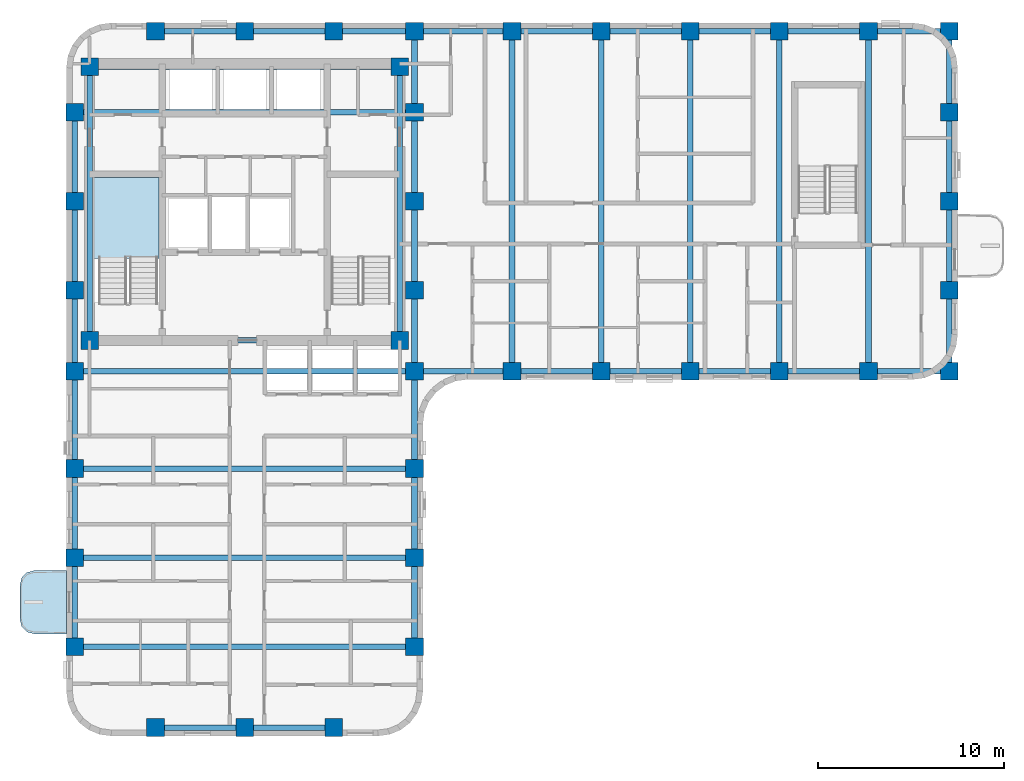
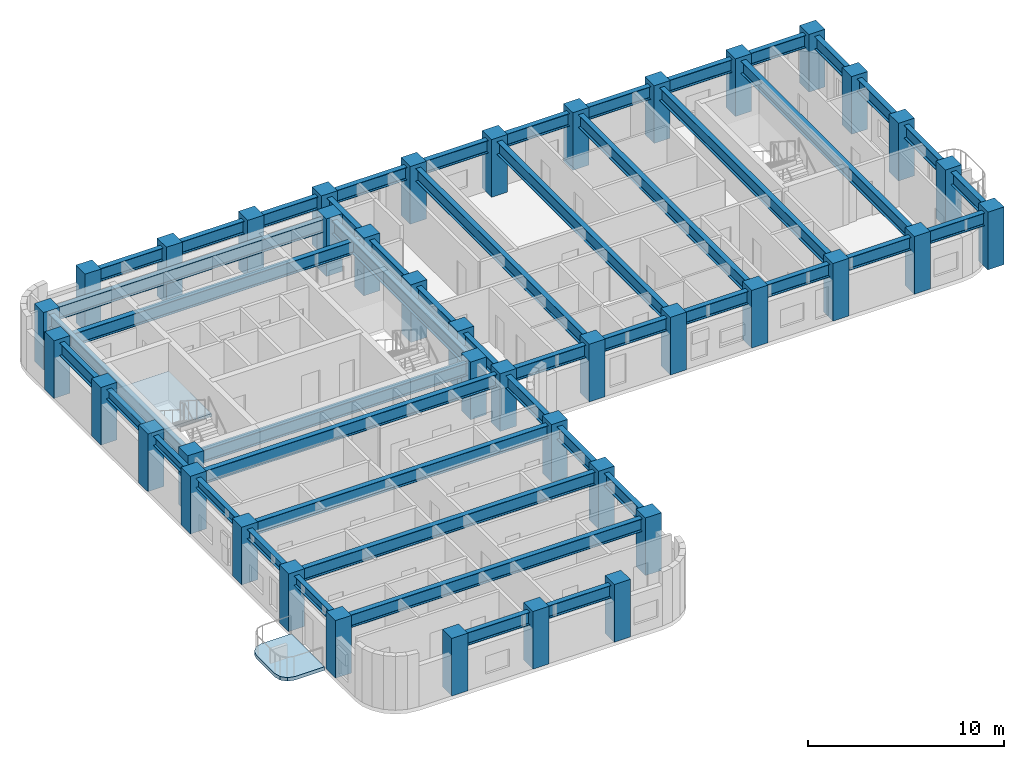
# One storey, part 1 of 10: 48 beams, 40 columns, 2 slabs, 1 element without a shape of its own.
"""IFC4 building model written with IfcOpenShell, lengths in metres."""

from ifc_helpers import new_model, si_unit, direction, frame, origin, origin_2d, place, context, subcontext, project, spatial, polyline, rectangle, i_section, outline, extrude, material, layer, layer_set, material_profile, profile_set, type_object, element, aggregate, save


model = new_model("IFC4")

# Units and contexts
model_context = context("Model", 3, precision=1e-05, world=origin(), true_north=direction((0.0, 1.0)))
body_context = subcontext(model_context, "Body", "Model", "MODEL_VIEW")
ifc_project = project(units=[si_unit("LENGTHUNIT", "METRE"), si_unit("AREAUNIT", "SQUARE_METRE"), si_unit("VOLUMEUNIT", "CUBIC_METRE"), si_unit("PLANEANGLEUNIT", "RADIAN"), si_unit("MASSUNIT", "GRAM", prefix="KILO")], contexts=[model_context])

# Site, building, storey
site_placement = place(None, origin())
site = spatial("IfcSite", under=ifc_project, at=site_placement, CompositionType="ELEMENT")
building_placement = place(site_placement, origin())
building = spatial("IfcBuilding", under=site, at=building_placement, Name="Orvandelia Arch Residences", CompositionType="ELEMENT")
storey_placement = place(building_placement, frame((0.0, 0.0, 118.0)))
storey = spatial("IfcBuildingStorey", under=building, at=storey_placement, Name="L30", CompositionType="ELEMENT", Elevation=118.0)

# Columns
ifc_material_1 = material(Name="Concrete C60/75", Category="concrete")
ifc_material_profile_1 = material_profile(ifc_material_1, rectangle(XDim=0.949951171875, YDim=0.949951171875, at=origin_2d()), Name="Concrete C60/75", Category="concrete")
ifc_profile_set_1 = profile_set([ifc_material_profile_1], Name="Concrete C60/75")
column_type = type_object("IfcColumnType", Name="COL-TWR-950", PredefinedType="COLUMN", material=ifc_profile_set_1)
for number, where, z_axis, x_axis, name in (
    (1, (5.25, 14.39990234375, 0.0), (0.0, 0.0, 1.0), (1.0, 0.0, 0.0), "Structural Column L30-W-W-144"),
    (2, (5.25, 19.199951171875, 0.0), (0.0, 0.0, 1.0), (1.0, 0.0, 0.0), "Structural Column L30-W-W-192"),
    (3, (5.25, 24.0, 0.0), (0.0, 0.0, 1.0), (1.0, 0.0, 0.0), "Structural Column L30-W-W-240"),
    (4, (5.25, 29.25, 0.0), (0.0, 0.0, 1.0), (1.0, 0.0, 0.0), "Structural Column L30-W-W-292"),
    (5, (5.25, 33.60009765625, 0.0), (0.0, 0.0, 1.0), (1.0, 0.0, 0.0), "Structural Column L30-W-W-336"),
    (6, (5.25, 38.39990234375, 0.0), (0.0, 0.0, 1.0), (1.0, 0.0, 0.0), "Structural Column L30-W-W-384"),
    (7, (5.25, 43.199951171875, 0.0), (0.0, 0.0, 1.0), (1.0, 0.0, 0.0), "Structural Column L30-W-W-432"),
    (8, (6.050048828125, 30.89990234375, 0.0), (0.0, 0.0, 1.0), (1.0, 0.0, 0.0), "Structural Column L30-CR-SW"),
    (9, (6.050048828125, 45.64990234375, 0.0), (0.0, 0.0, 1.0), (1.0, 0.0, 0.0), "Structural Column L30-CR-NW"),
    (10, (9.60009765625, 10.050048828125, 0.0), (0.0, 0.0, 1.0), (1.0, 0.0, 0.0), "Structural Column L30-W-S-96"),
    (11, (9.60009765625, 47.550048828125, 0.0), (0.0, 0.0, 1.0), (1.0, 0.0, 0.0), "Structural Column L30-W-N-96"),
    (12, (14.39990234375, 10.050048828125, 0.0), (0.0, 0.0, 1.0), (1.0, 0.0, 0.0), "Structural Column L30-W-S-144"),
    (13, (14.39990234375, 47.550048828125, 0.0), (0.0, 0.0, 1.0), (1.0, 0.0, 0.0), "Structural Column L30-W-N-144"),
    (14, (19.199951171875, 10.050048828125, 0.0), (0.0, 0.0, 1.0), (1.0, 0.0, 0.0), "Structural Column L30-W-S-192"),
    (15, (19.199951171875, 47.550048828125, 0.0), (0.0, 0.0, 1.0), (1.0, 0.0, 0.0), "Structural Column L30-W-N-192"),
    (16, (22.75, 30.89990234375, 0.0), (0.0, 0.0, 1.0), (1.0, 0.0, 0.0), "Structural Column L30-CR-SE"),
    (17, (22.75, 45.64990234375, 0.0), (0.0, 0.0, 1.0), (1.0, 0.0, 0.0), "Structural Column L30-CR-NE"),
    (18, (23.550048828125, 14.39990234375, 0.0), (0.0, 0.0, 1.0), (1.0, 0.0, 0.0), "Structural Column L30-W-E-144"),
    (19, (23.550048828125, 19.199951171875, 0.0), (0.0, 0.0, 1.0), (1.0, 0.0, 0.0), "Structural Column L30-W-E-192"),
    (20, (23.550048828125, 24.0, 0.0), (0.0, 0.0, 1.0), (1.0, 0.0, 0.0), "Structural Column L30-W-E-240"),
    (21, (23.550048828125, 29.25, 0.0), (0.0, 0.0, 1.0), (1.0, 0.0, 0.0), "Structural Column L30-W-E-292"),
    (22, (23.550048828125, 33.60009765625, 0.0), (0.0, 0.0, 1.0), (1.0, 0.0, 0.0), "Structural Column L30-W-E-336"),
    (23, (23.550048828125, 38.39990234375, 0.0), (0.0, 0.0, 1.0), (1.0, 0.0, 0.0), "Structural Column L30-W-E-384"),
    (24, (23.550048828125, 43.199951171875, 0.0), (0.0, 0.0, 1.0), (1.0, 0.0, 0.0), "Structural Column L30-W-E-432"),
    (25, (23.550048828125, 47.550048828125, 0.0), (0.0, 0.0, 1.0), (1.0, 0.0, 0.0), "Structural Column L30-W-N-235"),
    (26, (28.800048828125, 29.25, 0.0), (0.0, 0.0, 1.0), (1.0, 0.0, 0.0), "Structural Column L30-E-S-288"),
    (27, (28.800048828125, 47.550048828125, 0.0), (0.0, 0.0, 1.0), (1.0, 0.0, 0.0), "Structural Column L30-E-N-288"),
    (28, (33.60009765625, 29.25, 0.0), (0.0, 0.0, 1.0), (1.0, 0.0, 0.0), "Structural Column L30-E-S-336"),
    (29, (33.60009765625, 47.550048828125, 0.0), (0.0, 0.0, 1.0), (1.0, 0.0, 0.0), "Structural Column L30-E-N-336"),
    (30, (38.39990234375, 29.25, 0.0), (0.0, 0.0, 1.0), (1.0, 0.0, 0.0), "Structural Column L30-E-S-384"),
    (31, (38.39990234375, 47.550048828125, 0.0), (0.0, 0.0, 1.0), (1.0, 0.0, 0.0), "Structural Column L30-E-N-384"),
    (32, (43.199951171875, 29.25, 0.0), (0.0, 0.0, 1.0), (1.0, 0.0, 0.0), "Structural Column L30-E-S-432"),
    (33, (43.199951171875, 47.550048828125, 0.0), (0.0, 0.0, 1.0), (1.0, 0.0, 0.0), "Structural Column L30-E-N-432"),
    (34, (48.0, 29.25, 0.0), (0.0, 0.0, 1.0), (1.0, 0.0, 0.0), "Structural Column L30-E-S-480"),
    (35, (48.0, 47.550048828125, 0.0), (0.0, 0.0, 1.0), (1.0, 0.0, 0.0), "Structural Column L30-E-N-480"),
    (36, (52.35009765625, 29.25, 0.0), (0.0, 0.0, 1.0), (1.0, 0.0, 0.0), "Structural Column L30-E-S-523"),
    (37, (52.35009765625, 33.60009765625, 0.0), (0.0, 0.0, 1.0), (1.0, 0.0, 0.0), "Structural Column L30-E-523-336"),
    (38, (52.35009765625, 38.39990234375, 0.0), (0.0, 0.0, 1.0), (1.0, 0.0, 0.0), "Structural Column L30-E-523-384"),
    (39, (52.35009765625, 43.199951171875, 0.0), (0.0, 0.0, 1.0), (1.0, 0.0, 0.0), "Structural Column L30-E-523-432"),
    (40, (52.35009765625, 47.550048828125, 0.0), (0.0, 0.0, 1.0), (1.0, 0.0, 0.0), "Structural Column L30-E-N-523"),
):
    element("IfcColumn", number, at=place(storey_placement, frame(where, z_axis=z_axis, x_axis=x_axis)), inside=storey, type_object=column_type, Name=name, PredefinedType="COLUMN", context=body_context, shape_type="SweptSolid", body=[
        extrude(rectangle(XDim=0.949951171875, YDim=0.949951171875, at=origin_2d()), origin(), (0.0, 0.0, 1.0), 3.60009765625),
    ])

# Beams
ifc_material_2 = material(Name="Structural Steel SM355 (355 MPa)", Category="steel")
ifc_material_profile_2 = material_profile(ifc_material_2, i_section(OverallWidth=0.300048828125, OverallDepth=0.800048828125, WebThickness=0.013916015625, FlangeThickness=0.02587890625, FilletRadius=0.02587890625, at=origin_2d()), Name="Structural Steel SM355 (355 MPa)", Category="steel")
ifc_profile_set_2 = profile_set([ifc_material_profile_2], Name="Structural Steel SM355 (355 MPa)")
beam_type_1 = type_object("IfcBeamType", Name="BM-GRD-H800", PredefinedType="BEAM", material=ifc_profile_set_2)
beam_1_placement = place(storey_placement, frame((5.25, 38.39990234375, 2.9599609375), z_axis=(0.0, 1.0, 0.0), x_axis=(-1.0, 0.0, 0.0)))
element("IfcBeam", 41, at=beam_1_placement, inside=storey, type_object=beam_type_1, Name="Structural Frame Beam L30-NS-006", PredefinedType="BEAM", context=body_context, shape_type="SweptSolid", body=[
    extrude(i_section(OverallWidth=0.300048828125, OverallDepth=0.800048828125, WebThickness=0.013916015625, FlangeThickness=0.02587890625, FilletRadius=0.02587890625, at=origin_2d()), origin(), (0.0, 0.0, 1.0), 4.800048828125),
])
for number, where, z_axis, x_axis, name in (
    (42, (6.050048828125, 30.89990234375, 2.9599609375), (0.0, 1.0, 0.0), (-1.0, 0.0, 0.0), "Structural Frame Beam L30-NS-007"),
    (43, (22.75, 30.89990234375, 2.9599609375), (0.0, 1.0, 0.0), (-1.0, 0.0, 0.0), "Structural Frame Beam L30-NS-008"),
):
    element("IfcBeam", number, at=place(storey_placement, frame(where, z_axis=z_axis, x_axis=x_axis)), inside=storey, type_object=beam_type_1, Name=name, PredefinedType="BEAM", context=body_context, shape_type="SweptSolid", body=[
        extrude(i_section(OverallWidth=0.300048828125, OverallDepth=0.800048828125, WebThickness=0.013916015625, FlangeThickness=0.02587890625, FilletRadius=0.02587890625, at=origin_2d()), origin(), (0.0, 0.0, 1.0), 14.75),
    ])
for number, where, z_axis, x_axis, name in (
    (44, (23.550048828125, 14.39990234375, 2.9599609375), (0.0, 1.0, 0.0), (-1.0, 0.0, 0.0), "Structural Frame Beam L30-NS-009"),
    (45, (23.550048828125, 19.199951171875, 2.9599609375), (0.0, 1.0, 0.0), (-1.0, 0.0, 0.0), "Structural Frame Beam L30-NS-010"),
):
    element("IfcBeam", number, at=place(storey_placement, frame(where, z_axis=z_axis, x_axis=x_axis)), inside=storey, type_object=beam_type_1, Name=name, PredefinedType="BEAM", context=body_context, shape_type="SweptSolid", body=[
        extrude(i_section(OverallWidth=0.300048828125, OverallDepth=0.800048828125, WebThickness=0.013916015625, FlangeThickness=0.02587890625, FilletRadius=0.02587890625, at=origin_2d()), origin(), (0.0, 0.0, 1.0), 4.800048828125),
    ])
beam_2_placement = place(storey_placement, frame((23.550048828125, 24.0, 2.9599609375), z_axis=(0.0, 1.0, 0.0), x_axis=(-1.0, 0.0, 0.0)))
element("IfcBeam", 46, at=beam_2_placement, inside=storey, type_object=beam_type_1, Name="Structural Frame Beam L30-NS-011", PredefinedType="BEAM", context=body_context, shape_type="SweptSolid", body=[
    extrude(i_section(OverallWidth=0.300048828125, OverallDepth=0.800048828125, WebThickness=0.013916015625, FlangeThickness=0.02587890625, FilletRadius=0.02587890625, at=origin_2d()), origin(), (0.0, 0.0, 1.0), 5.25),
])
beam_3_placement = place(storey_placement, frame((23.550048828125, 29.25, 2.9599609375), z_axis=(0.0, 1.0, 0.0), x_axis=(-1.0, 0.0, 0.0)))
element("IfcBeam", 47, at=beam_3_placement, inside=storey, type_object=beam_type_1, Name="Structural Frame Beam L30-NS-012", PredefinedType="BEAM", context=body_context, shape_type="SweptSolid", body=[
    extrude(i_section(OverallWidth=0.300048828125, OverallDepth=0.800048828125, WebThickness=0.013916015625, FlangeThickness=0.02587890625, FilletRadius=0.02587890625, at=origin_2d()), origin(), (0.0, 0.0, 1.0), 4.35009765625),
])
beam_4_placement = place(storey_placement, frame((23.550048828125, 33.60009765625, 2.9599609375), z_axis=(0.0, 1.0, 0.0), x_axis=(-1.0, 0.0, 0.0)))
element("IfcBeam", 48, at=beam_4_placement, inside=storey, type_object=beam_type_1, Name="Structural Frame Beam L30-NS-013", PredefinedType="BEAM", context=body_context, shape_type="SweptSolid", body=[
    extrude(i_section(OverallWidth=0.300048828125, OverallDepth=0.800048828125, WebThickness=0.013916015625, FlangeThickness=0.02587890625, FilletRadius=0.02587890625, at=origin_2d()), origin(), (0.0, 0.0, 1.0), 4.7998046875),
])
beam_5_placement = place(storey_placement, frame((23.550048828125, 38.39990234375, 2.9599609375), z_axis=(0.0, 1.0, 0.0), x_axis=(-1.0, 0.0, 0.0)))
element("IfcBeam", 49, at=beam_5_placement, inside=storey, type_object=beam_type_1, Name="Structural Frame Beam L30-NS-014", PredefinedType="BEAM", context=body_context, shape_type="SweptSolid", body=[
    extrude(i_section(OverallWidth=0.300048828125, OverallDepth=0.800048828125, WebThickness=0.013916015625, FlangeThickness=0.02587890625, FilletRadius=0.02587890625, at=origin_2d()), origin(), (0.0, 0.0, 1.0), 4.800048828125),
])
beam_6_placement = place(storey_placement, frame((23.550048828125, 43.199951171875, 2.9599609375), z_axis=(0.0, 1.0, 0.0), x_axis=(-1.0, 0.0, 0.0)))
element("IfcBeam", 50, at=beam_6_placement, inside=storey, type_object=beam_type_1, Name="Structural Frame Beam L30-NS-015", PredefinedType="BEAM", context=body_context, shape_type="SweptSolid", body=[
    extrude(i_section(OverallWidth=0.300048828125, OverallDepth=0.800048828125, WebThickness=0.013916015625, FlangeThickness=0.02587890625, FilletRadius=0.02587890625, at=origin_2d()), origin(), (0.0, 0.0, 1.0), 4.35009765625),
])
for number, where, z_axis, x_axis, name in (
    (51, (28.800048828125, 29.25, 2.9599609375), (0.0, 1.0, 0.0), (-1.0, 0.0, 0.0), "Structural Frame Beam L30-NS-016"),
    (52, (33.60009765625, 29.25, 2.9599609375), (0.0, 1.0, 0.0), (-1.0, 0.0, 0.0), "Structural Frame Beam L30-NS-017"),
    (53, (38.39990234375, 29.25, 2.9599609375), (0.0, 1.0, 0.0), (-1.0, 0.0, 0.0), "Structural Frame Beam L30-NS-018"),
    (54, (43.199951171875, 29.25, 2.9599609375), (0.0, 1.0, 0.0), (-1.0, 0.0, 0.0), "Structural Frame Beam L30-NS-019"),
    (55, (48.0, 29.25, 2.9599609375), (0.0, 1.0, 0.0), (-1.0, 0.0, 0.0), "Structural Frame Beam L30-NS-020"),
):
    element("IfcBeam", number, at=place(storey_placement, frame(where, z_axis=z_axis, x_axis=x_axis)), inside=storey, type_object=beam_type_1, Name=name, PredefinedType="BEAM", context=body_context, shape_type="SweptSolid", body=[
        extrude(i_section(OverallWidth=0.300048828125, OverallDepth=0.800048828125, WebThickness=0.013916015625, FlangeThickness=0.02587890625, FilletRadius=0.02587890625, at=origin_2d()), origin(), (0.0, 0.0, 1.0), 18.300048828125),
    ])
beam_7_placement = place(storey_placement, frame((52.35009765625, 29.25, 2.9599609375), z_axis=(0.0, 1.0, 0.0), x_axis=(-1.0, 0.0, 0.0)))
element("IfcBeam", 56, at=beam_7_placement, inside=storey, type_object=beam_type_1, Name="Structural Frame Beam L30-NS-021", PredefinedType="BEAM", context=body_context, shape_type="SweptSolid", body=[
    extrude(i_section(OverallWidth=0.300048828125, OverallDepth=0.800048828125, WebThickness=0.013916015625, FlangeThickness=0.02587890625, FilletRadius=0.02587890625, at=origin_2d()), origin(), (0.0, 0.0, 1.0), 4.35009765625),
])
beam_8_placement = place(storey_placement, frame((52.35009765625, 33.60009765625, 2.9599609375), z_axis=(0.0, 1.0, 0.0), x_axis=(-1.0, 0.0, 0.0)))
element("IfcBeam", 57, at=beam_8_placement, inside=storey, type_object=beam_type_1, Name="Structural Frame Beam L30-NS-022", PredefinedType="BEAM", context=body_context, shape_type="SweptSolid", body=[
    extrude(i_section(OverallWidth=0.300048828125, OverallDepth=0.800048828125, WebThickness=0.013916015625, FlangeThickness=0.02587890625, FilletRadius=0.02587890625, at=origin_2d()), origin(), (0.0, 0.0, 1.0), 4.7998046875),
])
beam_9_placement = place(storey_placement, frame((52.35009765625, 38.39990234375, 2.9599609375), z_axis=(0.0, 1.0, 0.0), x_axis=(-1.0, 0.0, 0.0)))
element("IfcBeam", 58, at=beam_9_placement, inside=storey, type_object=beam_type_1, Name="Structural Frame Beam L30-NS-023", PredefinedType="BEAM", context=body_context, shape_type="SweptSolid", body=[
    extrude(i_section(OverallWidth=0.300048828125, OverallDepth=0.800048828125, WebThickness=0.013916015625, FlangeThickness=0.02587890625, FilletRadius=0.02587890625, at=origin_2d()), origin(), (0.0, 0.0, 1.0), 4.800048828125),
])
beam_10_placement = place(storey_placement, frame((52.35009765625, 43.199951171875, 2.9599609375), z_axis=(0.0, 1.0, 0.0), x_axis=(-1.0, 0.0, 0.0)))
element("IfcBeam", 59, at=beam_10_placement, inside=storey, type_object=beam_type_1, Name="Structural Frame Beam L30-NS-024", PredefinedType="BEAM", context=body_context, shape_type="SweptSolid", body=[
    extrude(i_section(OverallWidth=0.300048828125, OverallDepth=0.800048828125, WebThickness=0.013916015625, FlangeThickness=0.02587890625, FilletRadius=0.02587890625, at=origin_2d()), origin(), (0.0, 0.0, 1.0), 4.35009765625),
])
beam_11_placement = place(storey_placement, frame((9.60009765625, 10.050048828125, 2.9599609375), z_axis=(1.0, 0.0, 0.0), x_axis=(0.0, 1.0, 0.0)))
element("IfcBeam", 60, at=beam_11_placement, inside=storey, type_object=beam_type_1, Name="Structural Frame Girder L30-EW-025", PredefinedType="BEAM", context=body_context, shape_type="SweptSolid", body=[
    extrude(i_section(OverallWidth=0.300048828125, OverallDepth=0.800048828125, WebThickness=0.013916015625, FlangeThickness=0.02587890625, FilletRadius=0.02587890625, at=origin_2d()), origin(), (0.0, 0.0, 1.0), 4.7998046875),
])
beam_12_placement = place(storey_placement, frame((14.39990234375, 10.050048828125, 2.9599609375), z_axis=(1.0, 0.0, 0.0), x_axis=(0.0, 1.0, 0.0)))
element("IfcBeam", 61, at=beam_12_placement, inside=storey, type_object=beam_type_1, Name="Structural Frame Girder L30-EW-026", PredefinedType="BEAM", context=body_context, shape_type="SweptSolid", body=[
    extrude(i_section(OverallWidth=0.300048828125, OverallDepth=0.800048828125, WebThickness=0.013916015625, FlangeThickness=0.02587890625, FilletRadius=0.02587890625, at=origin_2d()), origin(), (0.0, 0.0, 1.0), 4.800048828125),
])
for number, where, z_axis, x_axis, name in (
    (62, (5.25, 14.39990234375, 2.9599609375), (1.0, 0.0, 0.0), (0.0, 1.0, 0.0), "Structural Frame Girder L30-EW-027"),
    (63, (5.25, 19.199951171875, 2.9599609375), (1.0, 0.0, 0.0), (0.0, 1.0, 0.0), "Structural Frame Girder L30-EW-028"),
    (64, (5.25, 24.0, 2.9599609375), (1.0, 0.0, 0.0), (0.0, 1.0, 0.0), "Structural Frame Girder L30-EW-029"),
    (65, (5.25, 29.25, 2.9599609375), (1.0, 0.0, 0.0), (0.0, 1.0, 0.0), "Structural Frame Girder L30-EW-030"),
):
    element("IfcBeam", number, at=place(storey_placement, frame(where, z_axis=z_axis, x_axis=x_axis)), inside=storey, type_object=beam_type_1, Name=name, PredefinedType="BEAM", context=body_context, shape_type="SweptSolid", body=[
        extrude(i_section(OverallWidth=0.300048828125, OverallDepth=0.800048828125, WebThickness=0.013916015625, FlangeThickness=0.02587890625, FilletRadius=0.02587890625, at=origin_2d()), origin(), (0.0, 0.0, 1.0), 18.300048828125),
    ])
beam_13_placement = place(storey_placement, frame((23.550048828125, 29.25, 2.9599609375), z_axis=(1.0, 0.0, 0.0), x_axis=(0.0, 1.0, 0.0)))
element("IfcBeam", 66, at=beam_13_placement, inside=storey, type_object=beam_type_1, Name="Structural Frame Girder L30-EW-031", PredefinedType="BEAM", context=body_context, shape_type="SweptSolid", body=[
    extrude(i_section(OverallWidth=0.300048828125, OverallDepth=0.800048828125, WebThickness=0.013916015625, FlangeThickness=0.02587890625, FilletRadius=0.02587890625, at=origin_2d()), origin(), (0.0, 0.0, 1.0), 5.25),
])
beam_14_placement = place(storey_placement, frame((28.800048828125, 29.25, 2.9599609375), z_axis=(1.0, 0.0, 0.0), x_axis=(0.0, 1.0, 0.0)))
element("IfcBeam", 67, at=beam_14_placement, inside=storey, type_object=beam_type_1, Name="Structural Frame Girder L30-EW-032", PredefinedType="BEAM", context=body_context, shape_type="SweptSolid", body=[
    extrude(i_section(OverallWidth=0.300048828125, OverallDepth=0.800048828125, WebThickness=0.013916015625, FlangeThickness=0.02587890625, FilletRadius=0.02587890625, at=origin_2d()), origin(), (0.0, 0.0, 1.0), 4.800048828125),
])
beam_15_placement = place(storey_placement, frame((33.60009765625, 29.25, 2.9599609375), z_axis=(1.0, 0.0, 0.0), x_axis=(0.0, 1.0, 0.0)))
element("IfcBeam", 68, at=beam_15_placement, inside=storey, type_object=beam_type_1, Name="Structural Frame Girder L30-EW-033", PredefinedType="BEAM", context=body_context, shape_type="SweptSolid", body=[
    extrude(i_section(OverallWidth=0.300048828125, OverallDepth=0.800048828125, WebThickness=0.013916015625, FlangeThickness=0.02587890625, FilletRadius=0.02587890625, at=origin_2d()), origin(), (0.0, 0.0, 1.0), 4.7998046875),
])
for number, where, z_axis, x_axis, name in (
    (69, (38.39990234375, 29.25, 2.9599609375), (1.0, 0.0, 0.0), (0.0, 1.0, 0.0), "Structural Frame Girder L30-EW-034"),
    (70, (43.199951171875, 29.25, 2.9599609375), (1.0, 0.0, 0.0), (0.0, 1.0, 0.0), "Structural Frame Girder L30-EW-035"),
):
    element("IfcBeam", number, at=place(storey_placement, frame(where, z_axis=z_axis, x_axis=x_axis)), inside=storey, type_object=beam_type_1, Name=name, PredefinedType="BEAM", context=body_context, shape_type="SweptSolid", body=[
        extrude(i_section(OverallWidth=0.300048828125, OverallDepth=0.800048828125, WebThickness=0.013916015625, FlangeThickness=0.02587890625, FilletRadius=0.02587890625, at=origin_2d()), origin(), (0.0, 0.0, 1.0), 4.800048828125),
    ])
beam_16_placement = place(storey_placement, frame((48.0, 29.25, 2.9599609375), z_axis=(1.0, 0.0, 0.0), x_axis=(0.0, 1.0, 0.0)))
element("IfcBeam", 71, at=beam_16_placement, inside=storey, type_object=beam_type_1, Name="Structural Frame Girder L30-EW-036", PredefinedType="BEAM", context=body_context, shape_type="SweptSolid", body=[
    extrude(i_section(OverallWidth=0.300048828125, OverallDepth=0.800048828125, WebThickness=0.013916015625, FlangeThickness=0.02587890625, FilletRadius=0.02587890625, at=origin_2d()), origin(), (0.0, 0.0, 1.0), 4.35009765625),
])
beam_17_placement = place(storey_placement, frame((6.050048828125, 30.89990234375, 2.9599609375), z_axis=(1.0, 0.0, 0.0), x_axis=(0.0, 1.0, 0.0)))
element("IfcBeam", 72, at=beam_17_placement, inside=storey, type_object=beam_type_1, Name="Structural Frame Girder L30-EW-037", PredefinedType="BEAM", context=body_context, shape_type="SweptSolid", body=[
    extrude(i_section(OverallWidth=0.300048828125, OverallDepth=0.800048828125, WebThickness=0.013916015625, FlangeThickness=0.02587890625, FilletRadius=0.02587890625, at=origin_2d()), origin(), (0.0, 0.0, 1.0), 16.699951171875),
])
beam_18_placement = place(storey_placement, frame((5.25, 43.199951171875, 2.9599609375), z_axis=(1.0, 0.0, 0.0), x_axis=(0.0, 1.0, 0.0)))
element("IfcBeam", 73, at=beam_18_placement, inside=storey, type_object=beam_type_1, Name="Structural Frame Girder L30-EW-040", PredefinedType="BEAM", context=body_context, shape_type="SweptSolid", body=[
    extrude(i_section(OverallWidth=0.300048828125, OverallDepth=0.800048828125, WebThickness=0.013916015625, FlangeThickness=0.02587890625, FilletRadius=0.02587890625, at=origin_2d()), origin(), (0.0, 0.0, 1.0), 18.300048828125),
])
beam_19_placement = place(storey_placement, frame((6.050048828125, 45.64990234375, 2.9599609375), z_axis=(1.0, 0.0, 0.0), x_axis=(0.0, 1.0, 0.0)))
element("IfcBeam", 74, at=beam_19_placement, inside=storey, type_object=beam_type_1, Name="Structural Frame Girder L30-EW-041", PredefinedType="BEAM", context=body_context, shape_type="SweptSolid", body=[
    extrude(i_section(OverallWidth=0.300048828125, OverallDepth=0.800048828125, WebThickness=0.013916015625, FlangeThickness=0.02587890625, FilletRadius=0.02587890625, at=origin_2d()), origin(), (0.0, 0.0, 1.0), 16.699951171875),
])
beam_20_placement = place(storey_placement, frame((9.60009765625, 47.550048828125, 2.9599609375), z_axis=(1.0, 0.0, 0.0), x_axis=(0.0, 1.0, 0.0)))
element("IfcBeam", 75, at=beam_20_placement, inside=storey, type_object=beam_type_1, Name="Structural Frame Girder L30-EW-042", PredefinedType="BEAM", context=body_context, shape_type="SweptSolid", body=[
    extrude(i_section(OverallWidth=0.300048828125, OverallDepth=0.800048828125, WebThickness=0.013916015625, FlangeThickness=0.02587890625, FilletRadius=0.02587890625, at=origin_2d()), origin(), (0.0, 0.0, 1.0), 4.7998046875),
])
beam_21_placement = place(storey_placement, frame((14.39990234375, 47.550048828125, 2.9599609375), z_axis=(1.0, 0.0, 0.0), x_axis=(0.0, 1.0, 0.0)))
element("IfcBeam", 76, at=beam_21_placement, inside=storey, type_object=beam_type_1, Name="Structural Frame Girder L30-EW-043", PredefinedType="BEAM", context=body_context, shape_type="SweptSolid", body=[
    extrude(i_section(OverallWidth=0.300048828125, OverallDepth=0.800048828125, WebThickness=0.013916015625, FlangeThickness=0.02587890625, FilletRadius=0.02587890625, at=origin_2d()), origin(), (0.0, 0.0, 1.0), 4.800048828125),
])
beam_22_placement = place(storey_placement, frame((19.199951171875, 47.550048828125, 2.9599609375), z_axis=(1.0, 0.0, 0.0), x_axis=(0.0, 1.0, 0.0)))
element("IfcBeam", 77, at=beam_22_placement, inside=storey, type_object=beam_type_1, Name="Structural Frame Girder L30-EW-044", PredefinedType="BEAM", context=body_context, shape_type="SweptSolid", body=[
    extrude(i_section(OverallWidth=0.300048828125, OverallDepth=0.800048828125, WebThickness=0.013916015625, FlangeThickness=0.02587890625, FilletRadius=0.02587890625, at=origin_2d()), origin(), (0.0, 0.0, 1.0), 4.35009765625),
])
beam_23_placement = place(storey_placement, frame((23.550048828125, 47.550048828125, 2.9599609375), z_axis=(1.0, 0.0, 0.0), x_axis=(0.0, 1.0, 0.0)))
element("IfcBeam", 78, at=beam_23_placement, inside=storey, type_object=beam_type_1, Name="Structural Frame Girder L30-EW-045", PredefinedType="BEAM", context=body_context, shape_type="SweptSolid", body=[
    extrude(i_section(OverallWidth=0.300048828125, OverallDepth=0.800048828125, WebThickness=0.013916015625, FlangeThickness=0.02587890625, FilletRadius=0.02587890625, at=origin_2d()), origin(), (0.0, 0.0, 1.0), 5.25),
])
beam_24_placement = place(storey_placement, frame((28.800048828125, 47.550048828125, 2.9599609375), z_axis=(1.0, 0.0, 0.0), x_axis=(0.0, 1.0, 0.0)))
element("IfcBeam", 79, at=beam_24_placement, inside=storey, type_object=beam_type_1, Name="Structural Frame Girder L30-EW-046", PredefinedType="BEAM", context=body_context, shape_type="SweptSolid", body=[
    extrude(i_section(OverallWidth=0.300048828125, OverallDepth=0.800048828125, WebThickness=0.013916015625, FlangeThickness=0.02587890625, FilletRadius=0.02587890625, at=origin_2d()), origin(), (0.0, 0.0, 1.0), 4.800048828125),
])
beam_25_placement = place(storey_placement, frame((33.60009765625, 47.550048828125, 2.9599609375), z_axis=(1.0, 0.0, 0.0), x_axis=(0.0, 1.0, 0.0)))
element("IfcBeam", 80, at=beam_25_placement, inside=storey, type_object=beam_type_1, Name="Structural Frame Girder L30-EW-047", PredefinedType="BEAM", context=body_context, shape_type="SweptSolid", body=[
    extrude(i_section(OverallWidth=0.300048828125, OverallDepth=0.800048828125, WebThickness=0.013916015625, FlangeThickness=0.02587890625, FilletRadius=0.02587890625, at=origin_2d()), origin(), (0.0, 0.0, 1.0), 4.7998046875),
])
for number, where, z_axis, x_axis, name in (
    (81, (38.39990234375, 47.550048828125, 2.9599609375), (1.0, 0.0, 0.0), (0.0, 1.0, 0.0), "Structural Frame Girder L30-EW-048"),
    (82, (43.199951171875, 47.550048828125, 2.9599609375), (1.0, 0.0, 0.0), (0.0, 1.0, 0.0), "Structural Frame Girder L30-EW-049"),
):
    element("IfcBeam", number, at=place(storey_placement, frame(where, z_axis=z_axis, x_axis=x_axis)), inside=storey, type_object=beam_type_1, Name=name, PredefinedType="BEAM", context=body_context, shape_type="SweptSolid", body=[
        extrude(i_section(OverallWidth=0.300048828125, OverallDepth=0.800048828125, WebThickness=0.013916015625, FlangeThickness=0.02587890625, FilletRadius=0.02587890625, at=origin_2d()), origin(), (0.0, 0.0, 1.0), 4.800048828125),
    ])
beam_26_placement = place(storey_placement, frame((48.0, 47.550048828125, 2.9599609375), z_axis=(1.0, 0.0, 0.0), x_axis=(0.0, 1.0, 0.0)))
element("IfcBeam", 83, at=beam_26_placement, inside=storey, type_object=beam_type_1, Name="Structural Frame Girder L30-EW-050", PredefinedType="BEAM", context=body_context, shape_type="SweptSolid", body=[
    extrude(i_section(OverallWidth=0.300048828125, OverallDepth=0.800048828125, WebThickness=0.013916015625, FlangeThickness=0.02587890625, FilletRadius=0.02587890625, at=origin_2d()), origin(), (0.0, 0.0, 1.0), 4.35009765625),
])
ifc_material_profile_3 = material_profile(ifc_material_2, i_section(OverallWidth=0.300048828125, OverallDepth=0.587890625, WebThickness=0.011962890625, FlangeThickness=0.02001953125, FilletRadius=0.02197265625, at=origin_2d()), Name="Structural Steel SM355 (355 MPa)", Category="steel")
ifc_profile_set_3 = profile_set([ifc_material_profile_3], Name="Structural Steel SM355 (355 MPa)")
beam_type_2 = type_object("IfcBeamType", Name="BM-SPN-H588", PredefinedType="SPANDREL", material=ifc_profile_set_3)
for number, where, z_axis, x_axis, name in (
    (84, (5.25, 14.39990234375, 3.06591796875), (0.0, 1.0, 0.0), (-1.0, 0.0, 0.0), "Structural Frame Beam L30-NS-001"),
    (85, (5.25, 19.199951171875, 3.06591796875), (0.0, 1.0, 0.0), (-1.0, 0.0, 0.0), "Structural Frame Beam L30-NS-002"),
):
    element("IfcBeam", number, at=place(storey_placement, frame(where, z_axis=z_axis, x_axis=x_axis)), inside=storey, type_object=beam_type_2, Name=name, PredefinedType="SPANDREL", context=body_context, shape_type="SweptSolid", body=[
        extrude(i_section(OverallWidth=0.300048828125, OverallDepth=0.587890625, WebThickness=0.011962890625, FlangeThickness=0.02001953125, FilletRadius=0.02197265625, at=origin_2d()), origin(), (0.0, 0.0, 1.0), 4.800048828125),
    ])
beam_27_placement = place(storey_placement, frame((5.25, 24.0, 3.06591796875), z_axis=(0.0, 1.0, 0.0), x_axis=(-1.0, 0.0, 0.0)))
element("IfcBeam", 86, at=beam_27_placement, inside=storey, type_object=beam_type_2, Name="Structural Frame Beam L30-NS-003", PredefinedType="SPANDREL", context=body_context, shape_type="SweptSolid", body=[
    extrude(i_section(OverallWidth=0.300048828125, OverallDepth=0.587890625, WebThickness=0.011962890625, FlangeThickness=0.02001953125, FilletRadius=0.02197265625, at=origin_2d()), origin(), (0.0, 0.0, 1.0), 5.25),
])
beam_28_placement = place(storey_placement, frame((5.25, 29.25, 3.06591796875), z_axis=(0.0, 1.0, 0.0), x_axis=(-1.0, 0.0, 0.0)))
element("IfcBeam", 87, at=beam_28_placement, inside=storey, type_object=beam_type_2, Name="Structural Frame Beam L30-NS-004", PredefinedType="SPANDREL", context=body_context, shape_type="SweptSolid", body=[
    extrude(i_section(OverallWidth=0.300048828125, OverallDepth=0.587890625, WebThickness=0.011962890625, FlangeThickness=0.02001953125, FilletRadius=0.02197265625, at=origin_2d()), origin(), (0.0, 0.0, 1.0), 4.35009765625),
])
beam_29_placement = place(storey_placement, frame((5.25, 33.60009765625, 3.06591796875), z_axis=(0.0, 1.0, 0.0), x_axis=(-1.0, 0.0, 0.0)))
element("IfcBeam", 88, at=beam_29_placement, inside=storey, type_object=beam_type_2, Name="Structural Frame Beam L30-NS-005", PredefinedType="SPANDREL", context=body_context, shape_type="SweptSolid", body=[
    extrude(i_section(OverallWidth=0.300048828125, OverallDepth=0.587890625, WebThickness=0.011962890625, FlangeThickness=0.02001953125, FilletRadius=0.02197265625, at=origin_2d()), origin(), (0.0, 0.0, 1.0), 4.7998046875),
])

# Slab
ifc_material_3 = material(Name="Precast concrete C40/50", Category="concrete")
ifc_layer_1 = layer(ifc_material_3, 0.219970703125, Name="Precast concrete C40/50", Category="concrete")
ifc_layer_set_1 = layer_set([ifc_layer_1], Name="Precast concrete C40/50")
slab_type_1 = type_object("IfcSlabType", Name="SLB-BAL-220", PredefinedType="USERDEFINED", material=ifc_layer_set_1)
slab_1_placement = place(storey_placement, frame((0.0, 0.0, -0.219970703125)))
element("IfcSlab", 89, at=slab_1_placement, inside=storey, type_object=slab_type_1, Name="Tree Balcony Cantilever Slab BAL-L30-W1", ObjectType="BALCONY", PredefinedType="USERDEFINED", context=body_context, shape_type="SweptSolid", body=[
    extrude(outline(polyline([(4.800048828125, 15.10009765625), (4.800048828125, 18.5), (3.050048828125, 18.5), (2.675048828125, 18.3994140625), (2.400390625, 18.125), (2.300048828125, 17.75), (2.300048828125, 15.85009765625), (2.400390625, 15.47509765625), (2.675048828125, 15.200439453125), (3.050048828125, 15.10009765625), (4.800048828125, 15.10009765625)])), origin(), (0.0, 0.0, 1.0), 0.219970703125),
])

# Stair, slab
ifc_material_4 = material(Name="Concrete C40/50", Category="concrete")
stair_type = type_object("IfcStairType", Name="STAIR-RC-DOGLEG", PredefinedType="HALF_TURN_STAIR", material=ifc_material_4)
stair_placement = place(storey_placement, origin())
stair = element("IfcStair", 90, at=stair_placement, inside=storey, type_object=stair_type, Name="L30 Protected Exit Stair ST-1", PredefinedType="HALF_TURN_STAIR")
ifc_layer_2 = layer(ifc_material_4, 0.219970703125, Name="Concrete C40/50", Category="concrete")
ifc_layer_set_2 = layer_set([ifc_layer_2], Name="Concrete C40/50")
slab_type_2 = type_object("IfcSlabType", Name="SLB-LANDING-220", PredefinedType="LANDING", material=ifc_layer_set_2)
slab_2_placement = place(storey_placement, frame((0.0, 0.0, 1.60009765625)))
slab_2 = element("IfcSlab", 91, at=slab_2_placement, type_object=slab_type_2, Name="ST-1 landing 1", PredefinedType="LANDING", context=body_context, shape_type="SweptSolid", body=[
    extrude(outline(polyline([(9.800048828125, 35.31005859375), (9.800048828125, 39.68994140625), (6.260009765625, 39.68994140625), (6.260009765625, 35.31005859375), (9.800048828125, 35.31005859375)])), origin(), (0.0, 0.0, 1.0), 0.199951171875),
])
aggregate(stair, [slab_2])

save(model, "model.ifc")
